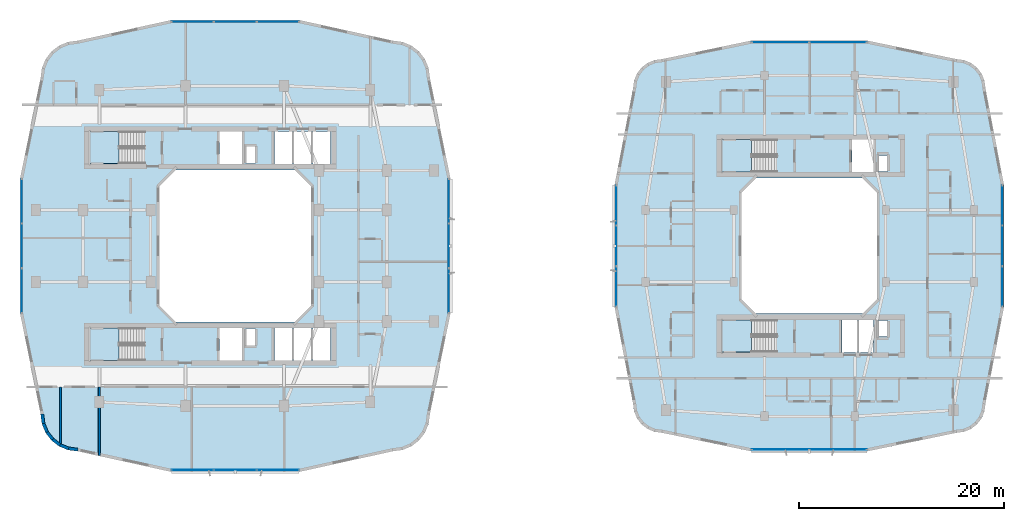
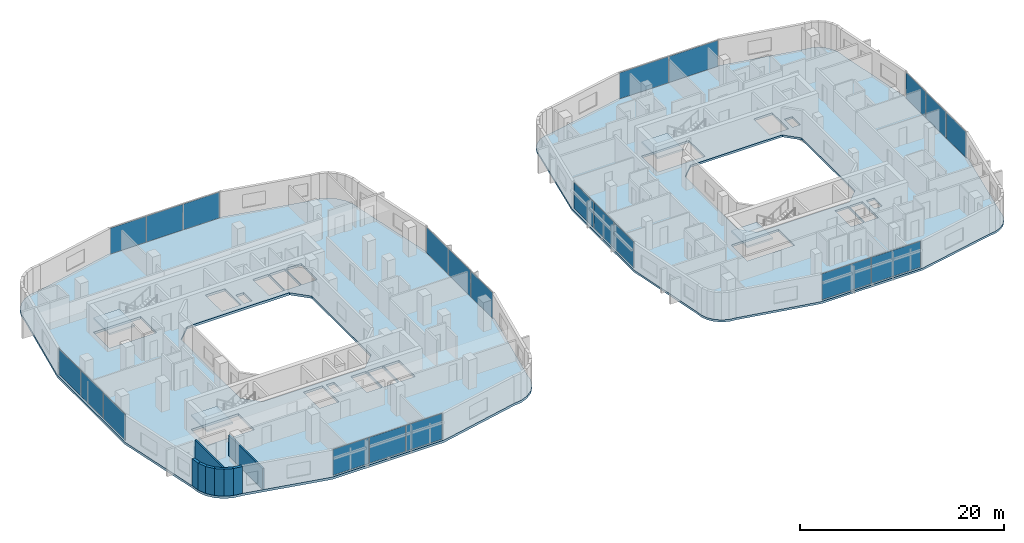
# One storey, part 12 of 26: 22 plates, 8 walls, 6 slabs, 12 elements without a shape of their own.
"""IFC4 building model written with IfcOpenShell, lengths in metres."""

from ifc_helpers import new_model, si_unit, derived_unit, direction, frame, frame_2d, origin, origin_2d, place, context, subcontext, project, spatial, polyline, rectangle, outline, extrude, material, layer, layer_set, type_object, element, aggregate, save


model = new_model("IFC4")

# Units and contexts
model_context = context("Model", 3, precision=1e-05, world=origin(), true_north=direction((0.0, 1.0)))
body_context = subcontext(model_context, "Body", "Model", "MODEL_VIEW")
ifc_project = project(units=[si_unit("LENGTHUNIT", "METRE"), si_unit("AREAUNIT", "SQUARE_METRE"), si_unit("VOLUMEUNIT", "CUBIC_METRE"), si_unit("PLANEANGLEUNIT", "RADIAN"), si_unit("MASSUNIT", "GRAM", prefix="KILO"), derived_unit("THERMALTRANSMITTANCEUNIT", [(si_unit("POWERUNIT", "WATT"), 1), (si_unit("LENGTHUNIT", "METRE"), -2), (si_unit("THERMODYNAMICTEMPERATUREUNIT", "KELVIN"), -1)])], contexts=[model_context])

# Site, building, storey
site_placement = place(None, origin())
site = spatial("IfcSite", under=ifc_project, at=site_placement, CompositionType="ELEMENT")
building_placement = place(site_placement, origin())
building = spatial("IfcBuilding", under=site, at=building_placement, Name="Kivonza Crest Hotel", CompositionType="ELEMENT")
storey_placement = place(building_placement, frame((0.0, 0.0, 66.0)))
storey = spatial("IfcBuildingStorey", under=building, at=storey_placement, Name="L17", CompositionType="ELEMENT", Elevation=66.0)

# Curtain wall, plates
ifc_material_1 = material(Name="Anodised bronze aluminium and low-E double glazing", Category="aluminium")
ifc_layer_1 = layer(ifc_material_1, 0.179931640625)
ifc_layer_set_1 = layer_set([ifc_layer_1], Name="Anodised bronze aluminium and low-E double glazing")
curtain_wall_type_1 = type_object("IfcCurtainWallType", Name="CW-SYS-2", PredefinedType="NOTDEFINED", material=ifc_layer_set_1)
curtain_wall_1_placement = place(storey_placement, origin())
curtain_wall_1 = element("IfcCurtainWall", 1, at=curtain_wall_1_placement, inside=storey, type_object=curtain_wall_type_1, Name="L17 unitised curtain wall CW-T1-L17-08", PredefinedType="NOTDEFINED")
ifc_material_2 = material(Name="Solar-control low-E double glazing", Category="glass")
ifc_layer_2 = layer(ifc_material_2, 0.028076171875)
ifc_layer_set_2 = layer_set([ifc_layer_2], Name="Solar-control low-E double glazing")
plate_type = type_object("IfcPlateType", Name="CW-PNL-28", PredefinedType="CURTAIN_PANEL", material=ifc_layer_set_2)
plate_1_placement = place(storey_placement, frame((16.890869140625, 3.159912109375, 0.06494140625), z_axis=(0.0, 0.0, 1.0), x_axis=(1.0, 0.0, 0.0)))
plate_1 = element("IfcPlate", 2, at=plate_1_placement, type_object=plate_type, Name="CW-2 panel 1.1", PredefinedType="CURTAIN_PANEL", context=body_context, shape_type="SweptSolid", body=[
    extrude(rectangle(XDim=4.06787109375, YDim=0.028076171875, at=origin_2d()), origin(), (0.0, 0.0, 1.0), 3.090087890625),
])
plate_2_placement = place(storey_placement, frame((21.0400390625, 3.159912109375, 0.06494140625), z_axis=(0.0, 0.0, 1.0), x_axis=(1.0, 0.0, 0.0)))
plate_2 = element("IfcPlate", 3, at=plate_2_placement, type_object=plate_type, Name="CW-2 panel 2.1", PredefinedType="CURTAIN_PANEL", context=body_context, shape_type="SweptSolid", body=[
    extrude(rectangle(XDim=4.100341796875, YDim=0.028076171875, at=origin_2d()), origin(), (0.0, 0.0, 1.0), 3.090087890625),
])
plate_3_placement = place(storey_placement, frame((25.18896484375, 3.159912109375, 0.06494140625), z_axis=(0.0, 0.0, 1.0), x_axis=(1.0, 0.0, 0.0)))
plate_3 = element("IfcPlate", 4, at=plate_3_placement, type_object=plate_type, Name="CW-2 panel 3.1", PredefinedType="CURTAIN_PANEL", context=body_context, shape_type="SweptSolid", body=[
    extrude(rectangle(XDim=4.06787109375, YDim=0.028076171875, at=origin_2d()), origin(), (0.0, 0.0, 1.0), 3.090087890625),
])
aggregate(curtain_wall_1, [plate_1, plate_2, plate_3])

curtain_wall_2_placement = place(storey_placement, origin())
curtain_wall_2 = element("IfcCurtainWall", 5, at=curtain_wall_2_placement, inside=storey, type_object=curtain_wall_type_1, Name="L17 unitised curtain wall CW-T1-L17-17", PredefinedType="NOTDEFINED")
plate_4_placement = place(storey_placement, frame((41.840087890625, 20.642822265625, 0.06494140625), z_axis=(0.0, 0.0, 1.0), x_axis=(0.0, 1.0, 0.0)))
plate_4 = element("IfcPlate", 6, at=plate_4_placement, type_object=plate_type, Name="CW-2 panel 1.1", PredefinedType="CURTAIN_PANEL", context=body_context, shape_type="SweptSolid", body=[
    extrude(rectangle(XDim=4.27587890625, YDim=0.028076171875, at=origin_2d()), origin(), (0.0, 0.0, 1.0), 3.090087890625),
])
plate_5_placement = place(storey_placement, frame((41.840087890625, 25.0, 0.06494140625), z_axis=(0.0, 0.0, 1.0), x_axis=(0.0, 1.0, 0.0)))
plate_5 = element("IfcPlate", 7, at=plate_5_placement, type_object=plate_type, Name="CW-2 panel 2.1", PredefinedType="CURTAIN_PANEL", context=body_context, shape_type="SweptSolid", body=[
    extrude(rectangle(XDim=4.308349609375, YDim=0.028076171875, at=origin_2d()), origin(), (0.0, 0.0, 1.0), 3.090087890625),
])
plate_6_placement = place(storey_placement, frame((41.840087890625, 29.357177734375, 0.06494140625), z_axis=(0.0, 0.0, 1.0), x_axis=(0.0, 1.0, 0.0)))
plate_6 = element("IfcPlate", 8, at=plate_6_placement, type_object=plate_type, Name="CW-2 panel 3.1", PredefinedType="CURTAIN_PANEL", context=body_context, shape_type="SweptSolid", body=[
    extrude(rectangle(XDim=4.27587890625, YDim=0.028076171875, at=origin_2d()), origin(), (0.0, 0.0, 1.0), 3.090087890625),
])
aggregate(curtain_wall_2, [plate_4, plate_5, plate_6])

curtain_wall_3_placement = place(storey_placement, origin())
curtain_wall_3 = element("IfcCurtainWall", 9, at=curtain_wall_3_placement, inside=storey, type_object=curtain_wall_type_1, Name="L17 unitised curtain wall CW-T1-L17-26", PredefinedType="NOTDEFINED")
plate_7_placement = place(storey_placement, frame((25.18896484375, 46.840087890625, 0.06494140625), z_axis=(0.0, 0.0, 1.0), x_axis=(-1.0, 0.0, 0.0)))
plate_7 = element("IfcPlate", 10, at=plate_7_placement, type_object=plate_type, Name="CW-2 panel 1.1", PredefinedType="CURTAIN_PANEL", context=body_context, shape_type="SweptSolid", body=[
    extrude(rectangle(XDim=4.06787109375, YDim=0.028076171875, at=origin_2d()), origin(), (0.0, 0.0, 1.0), 3.090087890625),
])
plate_8_placement = place(storey_placement, frame((21.0400390625, 46.840087890625, 0.06494140625), z_axis=(0.0, 0.0, 1.0), x_axis=(-1.0, 0.0, 0.0)))
plate_8 = element("IfcPlate", 11, at=plate_8_placement, type_object=plate_type, Name="CW-2 panel 2.1", PredefinedType="CURTAIN_PANEL", context=body_context, shape_type="SweptSolid", body=[
    extrude(rectangle(XDim=4.100341796875, YDim=0.028076171875, at=origin_2d()), origin(), (0.0, 0.0, 1.0), 3.090087890625),
])
plate_9_placement = place(storey_placement, frame((16.890869140625, 46.840087890625, 0.06494140625), z_axis=(0.0, 0.0, 1.0), x_axis=(-1.0, 0.0, 0.0)))
plate_9 = element("IfcPlate", 12, at=plate_9_placement, type_object=plate_type, Name="CW-2 panel 3.1", PredefinedType="CURTAIN_PANEL", context=body_context, shape_type="SweptSolid", body=[
    extrude(rectangle(XDim=4.06787109375, YDim=0.028076171875, at=origin_2d()), origin(), (0.0, 0.0, 1.0), 3.090087890625),
])
aggregate(curtain_wall_3, [plate_7, plate_8, plate_9])

curtain_wall_4_placement = place(storey_placement, origin())
curtain_wall_4 = element("IfcCurtainWall", 13, at=curtain_wall_4_placement, inside=storey, type_object=curtain_wall_type_1, Name="L17 unitised curtain wall CW-T1-L17-35", PredefinedType="NOTDEFINED")
plate_10_placement = place(storey_placement, frame((0.239990234375, 29.357177734375, 0.06494140625), z_axis=(0.0, 0.0, 1.0), x_axis=(0.0, -1.0, 0.0)))
plate_10 = element("IfcPlate", 14, at=plate_10_placement, type_object=plate_type, Name="CW-2 panel 1.1", PredefinedType="CURTAIN_PANEL", context=body_context, shape_type="SweptSolid", body=[
    extrude(rectangle(XDim=4.27587890625, YDim=0.028076171875, at=origin_2d()), origin(), (0.0, 0.0, 1.0), 3.090087890625),
])
plate_11_placement = place(storey_placement, frame((0.239990234375, 25.0, 0.06494140625), z_axis=(0.0, 0.0, 1.0), x_axis=(0.0, -1.0, 0.0)))
plate_11 = element("IfcPlate", 15, at=plate_11_placement, type_object=plate_type, Name="CW-2 panel 2.1", PredefinedType="CURTAIN_PANEL", context=body_context, shape_type="SweptSolid", body=[
    extrude(rectangle(XDim=4.308349609375, YDim=0.028076171875, at=origin_2d()), origin(), (0.0, 0.0, 1.0), 3.090087890625),
])
plate_12_placement = place(storey_placement, frame((0.239990234375, 20.642822265625, 0.06494140625), z_axis=(0.0, 0.0, 1.0), x_axis=(0.0, -1.0, 0.0)))
plate_12 = element("IfcPlate", 16, at=plate_12_placement, type_object=plate_type, Name="CW-2 panel 3.1", PredefinedType="CURTAIN_PANEL", context=body_context, shape_type="SweptSolid", body=[
    extrude(rectangle(XDim=4.27587890625, YDim=0.028076171875, at=origin_2d()), origin(), (0.0, 0.0, 1.0), 3.090087890625),
])
aggregate(curtain_wall_4, [plate_10, plate_11, plate_12])

ifc_layer_3 = layer(ifc_material_1, 0.179931640625)
ifc_layer_set_3 = layer_set([ifc_layer_3], Name="Anodised bronze aluminium and low-E double glazing")
curtain_wall_type_2 = type_object("IfcCurtainWallType", Name="CW-SYS-4", PredefinedType="NOTDEFINED", material=ifc_layer_set_3)
curtain_wall_5_placement = place(storey_placement, origin())
curtain_wall_5 = element("IfcCurtainWall", 17, at=curtain_wall_5_placement, inside=storey, type_object=curtain_wall_type_2, Name="L17 unitised curtain wall CW-T2-L17-08", PredefinedType="NOTDEFINED")
plate_13_placement = place(storey_placement, frame((74.15234375, 5.159912109375, 0.06494140625), z_axis=(0.0, 0.0, 1.0), x_axis=(1.0, 0.0, 0.0)))
plate_13 = element("IfcPlate", 18, at=plate_13_placement, type_object=plate_type, Name="CW-4 panel 1.1", PredefinedType="CURTAIN_PANEL", context=body_context, shape_type="SweptSolid", body=[
    extrude(rectangle(XDim=5.550537109375, YDim=0.028076171875, at=origin_2d()), origin(), (0.0, 0.0, 1.0), 3.1201171875),
])
plate_14_placement = place(storey_placement, frame((79.767822265625, 5.159912109375, 0.06494140625), z_axis=(0.0, 0.0, 1.0), x_axis=(1.0, 0.0, 0.0)))
plate_14 = element("IfcPlate", 19, at=plate_14_placement, type_object=plate_type, Name="CW-4 panel 2.1", PredefinedType="CURTAIN_PANEL", context=body_context, shape_type="SweptSolid", body=[
    extrude(rectangle(XDim=5.550537109375, YDim=0.028076171875, at=origin_2d()), origin(), (0.0, 0.0, 1.0), 3.1201171875),
])
aggregate(curtain_wall_5, [plate_13, plate_14])

curtain_wall_6_placement = place(storey_placement, origin())
curtain_wall_6 = element("IfcCurtainWall", 20, at=curtain_wall_6_placement, inside=storey, type_object=curtain_wall_type_2, Name="L17 unitised curtain wall CW-T2-L17-17", PredefinedType="NOTDEFINED")
plate_15_placement = place(storey_placement, frame((95.760009765625, 21.04296875, 0.06494140625), z_axis=(0.0, 0.0, 1.0), x_axis=(0.0, 1.0, 0.0)))
plate_15 = element("IfcPlate", 21, at=plate_15_placement, type_object=plate_type, Name="CW-4 panel 1.1", PredefinedType="CURTAIN_PANEL", context=body_context, shape_type="SweptSolid", body=[
    extrude(rectangle(XDim=3.875732421875, YDim=0.028076171875, at=origin_2d()), origin(), (0.0, 0.0, 1.0), 3.1201171875),
])
plate_16_placement = place(storey_placement, frame((95.760009765625, 25.0, 0.06494140625), z_axis=(0.0, 0.0, 1.0), x_axis=(0.0, 1.0, 0.0)))
plate_16 = element("IfcPlate", 22, at=plate_16_placement, type_object=plate_type, Name="CW-4 panel 2.1", PredefinedType="CURTAIN_PANEL", context=body_context, shape_type="SweptSolid", body=[
    extrude(rectangle(XDim=3.908447265625, YDim=0.028076171875, at=origin_2d()), origin(), (0.0, 0.0, 1.0), 3.1201171875),
])
plate_17_placement = place(storey_placement, frame((95.760009765625, 28.95703125, 0.06494140625), z_axis=(0.0, 0.0, 1.0), x_axis=(0.0, 1.0, 0.0)))
plate_17 = element("IfcPlate", 23, at=plate_17_placement, type_object=plate_type, Name="CW-4 panel 3.1", PredefinedType="CURTAIN_PANEL", context=body_context, shape_type="SweptSolid", body=[
    extrude(rectangle(XDim=3.875732421875, YDim=0.028076171875, at=origin_2d()), origin(), (0.0, 0.0, 1.0), 3.1201171875),
])
aggregate(curtain_wall_6, [plate_15, plate_16, plate_17])

curtain_wall_7_placement = place(storey_placement, origin())
curtain_wall_7 = element("IfcCurtainWall", 24, at=curtain_wall_7_placement, inside=storey, type_object=curtain_wall_type_2, Name="L17 unitised curtain wall CW-T2-L17-26", PredefinedType="NOTDEFINED")
plate_18_placement = place(storey_placement, frame((79.767822265625, 44.840087890625, 0.06494140625), z_axis=(0.0, 0.0, 1.0), x_axis=(-1.0, 0.0, 0.0)))
plate_18 = element("IfcPlate", 25, at=plate_18_placement, type_object=plate_type, Name="CW-4 panel 1.1", PredefinedType="CURTAIN_PANEL", context=body_context, shape_type="SweptSolid", body=[
    extrude(rectangle(XDim=5.550537109375, YDim=0.028076171875, at=origin_2d()), origin(), (0.0, 0.0, 1.0), 3.1201171875),
])
plate_19_placement = place(storey_placement, frame((74.15234375, 44.840087890625, 0.06494140625), z_axis=(0.0, 0.0, 1.0), x_axis=(-1.0, 0.0, 0.0)))
plate_19 = element("IfcPlate", 26, at=plate_19_placement, type_object=plate_type, Name="CW-4 panel 2.1", PredefinedType="CURTAIN_PANEL", context=body_context, shape_type="SweptSolid", body=[
    extrude(rectangle(XDim=5.550537109375, YDim=0.028076171875, at=origin_2d()), origin(), (0.0, 0.0, 1.0), 3.1201171875),
])
aggregate(curtain_wall_7, [plate_18, plate_19])

curtain_wall_8_placement = place(storey_placement, origin())
curtain_wall_8 = element("IfcCurtainWall", 27, at=curtain_wall_8_placement, inside=storey, type_object=curtain_wall_type_2, Name="L17 unitised curtain wall CW-T2-L17-35", PredefinedType="NOTDEFINED")
plate_20_placement = place(storey_placement, frame((58.159912109375, 28.95703125, 0.06494140625), z_axis=(0.0, 0.0, 1.0), x_axis=(0.0, -1.0, 0.0)))
plate_20 = element("IfcPlate", 28, at=plate_20_placement, type_object=plate_type, Name="CW-4 panel 1.1", PredefinedType="CURTAIN_PANEL", context=body_context, shape_type="SweptSolid", body=[
    extrude(rectangle(XDim=3.875732421875, YDim=0.028076171875, at=origin_2d()), origin(), (0.0, 0.0, 1.0), 3.1201171875),
])
plate_21_placement = place(storey_placement, frame((58.159912109375, 25.0, 0.06494140625), z_axis=(0.0, 0.0, 1.0), x_axis=(0.0, -1.0, 0.0)))
plate_21 = element("IfcPlate", 29, at=plate_21_placement, type_object=plate_type, Name="CW-4 panel 2.1", PredefinedType="CURTAIN_PANEL", context=body_context, shape_type="SweptSolid", body=[
    extrude(rectangle(XDim=3.908447265625, YDim=0.028076171875, at=origin_2d()), origin(), (0.0, 0.0, 1.0), 3.1201171875),
])
plate_22_placement = place(storey_placement, frame((58.159912109375, 21.04296875, 0.06494140625), z_axis=(0.0, 0.0, 1.0), x_axis=(0.0, -1.0, 0.0)))
plate_22 = element("IfcPlate", 30, at=plate_22_placement, type_object=plate_type, Name="CW-4 panel 3.1", PredefinedType="CURTAIN_PANEL", context=body_context, shape_type="SweptSolid", body=[
    extrude(rectangle(XDim=3.875732421875, YDim=0.028076171875, at=origin_2d()), origin(), (0.0, 0.0, 1.0), 3.1201171875),
])
aggregate(curtain_wall_8, [plate_20, plate_21, plate_22])

# Slab
ifc_material_3 = material(Name="Concrete C40/50", Category="concrete")
ifc_layer_4 = layer(ifc_material_3, 0.280029296875)
ifc_layer_set_4 = layer_set([ifc_layer_4], Name="Concrete C40/50")
slab_type_1 = type_object("IfcSlabType", Name="SL-HTL-280", PredefinedType="FLOOR", material=ifc_layer_set_4)
slab_1_placement = place(storey_placement, frame((0.0, 0.0, -0.280029296875)))
element("IfcSlab", 31, at=slab_1_placement, inside=storey, type_object=slab_type_1, Name="Tower T1 L17 floor slab", PredefinedType="FLOOR", context=body_context, shape_type="SweptSolid", body=[
    extrude(outline(polyline([(2.080078125, 8.60009765625), (2.202880859375, 7.66796875), (2.56201171875, 6.800048828125), (3.134033203125, 6.053955078125), (3.8798828125, 5.48193359375), (4.748046875, 5.123046875), (5.679931640625, 5.0), (14.751953125, 3.0), (27.327880859375, 3.0), (36.39990234375, 5.0), (37.33203125, 5.123046875), (38.199951171875, 5.48193359375), (38.946044921875, 6.053955078125), (39.51806640625, 6.800048828125), (39.876953125, 7.66796875), (40.0, 8.60009765625), (42.0, 18.39990234375), (42.0, 31.60009765625), (40.0, 41.39990234375), (39.876953125, 42.33203125), (39.51806640625, 43.199951171875), (38.946044921875, 43.946044921875), (38.199951171875, 44.51806640625), (37.33203125, 44.876953125), (36.39990234375, 45.0), (27.327880859375, 47.0), (14.751953125, 47.0), (5.679931640625, 45.0), (4.748046875, 44.876953125), (3.8798828125, 44.51806640625), (3.134033203125, 43.946044921875), (2.56201171875, 43.199951171875), (2.202880859375, 42.33203125), (2.080078125, 41.39990234375), (0.080078125, 31.60009765625), (0.080078125, 18.39990234375), (2.080078125, 8.60009765625)]), holes=[polyline([(15.239990234375, 17.60009765625), (26.840087890625, 17.60009765625), (28.43994140625, 19.199951171875), (28.43994140625, 30.800048828125), (26.840087890625, 32.39990234375), (15.239990234375, 32.39990234375), (13.639892578125, 30.800048828125), (13.639892578125, 19.199951171875), (15.239990234375, 17.60009765625)]), polyline([(6.800048828125, 33.02001953125), (12.159912109375, 33.02001953125), (12.159912109375, 36.159912109375), (6.800048828125, 36.159912109375), (6.800048828125, 33.02001953125)]), polyline([(6.800048828125, 13.860107421875), (12.159912109375, 13.860107421875), (12.159912109375, 17.0), (6.800048828125, 17.0), (6.800048828125, 13.860107421875)]), polyline([(22.080078125, 33.0400390625), (22.969970703125, 33.0400390625), (22.969970703125, 34.679931640625), (22.080078125, 34.679931640625), (22.080078125, 33.0400390625)]), polyline([(22.080078125, 15.320068359375), (22.969970703125, 15.320068359375), (22.969970703125, 16.9599609375), (22.080078125, 16.9599609375), (22.080078125, 15.320068359375)]), polyline([(19.5, 33.0), (21.699951171875, 33.0), (21.699951171875, 36.159912109375), (19.5, 36.159912109375), (19.5, 33.0)]), polyline([(24.860107421875, 33.0), (26.60693359375, 33.0), (26.60693359375, 36.159912109375), (24.860107421875, 36.159912109375), (24.860107421875, 33.0)]), polyline([(26.72705078125, 33.0), (28.472900390625, 33.0), (28.472900390625, 36.159912109375), (26.72705078125, 36.159912109375), (26.72705078125, 33.0)]), polyline([(28.593017578125, 33.0), (30.340087890625, 33.0), (30.340087890625, 36.159912109375), (28.593017578125, 36.159912109375), (28.593017578125, 33.0)]), polyline([(19.5, 13.840087890625), (21.699951171875, 13.840087890625), (21.699951171875, 17.0), (19.5, 17.0), (19.5, 13.840087890625)]), polyline([(24.860107421875, 13.840087890625), (26.60693359375, 13.840087890625), (26.60693359375, 17.0), (24.860107421875, 17.0), (24.860107421875, 13.840087890625)]), polyline([(26.72705078125, 13.840087890625), (28.472900390625, 13.840087890625), (28.472900390625, 17.0), (26.72705078125, 17.0), (26.72705078125, 13.840087890625)]), polyline([(28.593017578125, 13.840087890625), (30.340087890625, 13.840087890625), (30.340087890625, 17.0), (28.593017578125, 17.0), (28.593017578125, 13.840087890625)])]), origin(), (0.0, 0.0, 1.0), 0.280029296875),
])

# Stair, slab
stair_type = type_object("IfcStairType", Name="ST-DL-20R", PredefinedType="HALF_TURN_STAIR", material=ifc_material_3)
stair_1_placement = place(storey_placement, origin())
stair_1 = element("IfcStair", 32, at=stair_1_placement, inside=storey, type_object=stair_type, Name="L17 Protected Exit Stair ST-T1-N", PredefinedType="HALF_TURN_STAIR")
ifc_layer_5 = layer(ifc_material_3, 0.199951171875)
ifc_layer_set_5 = layer_set([ifc_layer_5], Name="Concrete C40/50")
slab_type_2 = type_object("IfcSlabType", Name="SL-LAND-200", PredefinedType="LANDING", material=ifc_layer_set_5)
slab_2_placement = place(storey_placement, frame((0.0, 0.0, 1.550048828125)))
slab_2 = element("IfcSlab", 33, at=slab_2_placement, type_object=slab_type_2, Name="ST-T1-N landing 1", PredefinedType="LANDING", context=body_context, shape_type="SweptSolid", body=[
    extrude(outline(polyline([(9.719970703125, 36.159912109375), (6.800048828125, 36.159912109375), (6.800048828125, 33.02001953125), (9.719970703125, 33.02001953125), (9.719970703125, 36.159912109375)])), origin(), (0.0, 0.0, 1.0), 0.199951171875),
])
aggregate(stair_1, [slab_2])

stair_2_placement = place(storey_placement, origin())
stair_2 = element("IfcStair", 34, at=stair_2_placement, inside=storey, type_object=stair_type, Name="L17 Protected Exit Stair ST-T1-S", PredefinedType="HALF_TURN_STAIR")
slab_3_placement = place(storey_placement, frame((0.0, 0.0, 1.550048828125)))
slab_3 = element("IfcSlab", 35, at=slab_3_placement, type_object=slab_type_2, Name="ST-T1-S landing 1", PredefinedType="LANDING", context=body_context, shape_type="SweptSolid", body=[
    extrude(outline(polyline([(9.719970703125, 17.0), (6.800048828125, 17.0), (6.800048828125, 13.860107421875), (9.719970703125, 13.860107421875), (9.719970703125, 17.0)])), origin(), (0.0, 0.0, 1.0), 0.199951171875),
])
aggregate(stair_2, [slab_3])

stair_3_placement = place(storey_placement, origin())
stair_3 = element("IfcStair", 36, at=stair_3_placement, inside=storey, type_object=stair_type, Name="L17 Protected Exit Stair ST-T2-N", PredefinedType="HALF_TURN_STAIR")
slab_4_placement = place(storey_placement, frame((0.0, 0.0, 1.550048828125)))
slab_4 = element("IfcSlab", 37, at=slab_4_placement, type_object=slab_type_2, Name="ST-T2-N landing 1", PredefinedType="LANDING", context=body_context, shape_type="SweptSolid", body=[
    extrude(outline(polyline([(71.320068359375, 35.360107421875), (68.39990234375, 35.360107421875), (68.39990234375, 32.219970703125), (71.320068359375, 32.219970703125), (71.320068359375, 35.360107421875)])), origin(), (0.0, 0.0, 1.0), 0.199951171875),
])
aggregate(stair_3, [slab_4])

stair_4_placement = place(storey_placement, origin())
stair_4 = element("IfcStair", 38, at=stair_4_placement, inside=storey, type_object=stair_type, Name="L17 Protected Exit Stair ST-T2-S", PredefinedType="HALF_TURN_STAIR")
slab_5_placement = place(storey_placement, frame((0.0, 0.0, 1.550048828125)))
slab_5 = element("IfcSlab", 39, at=slab_5_placement, type_object=slab_type_2, Name="ST-T2-S landing 1", PredefinedType="LANDING", context=body_context, shape_type="SweptSolid", body=[
    extrude(outline(polyline([(71.320068359375, 17.800048828125), (68.39990234375, 17.800048828125), (68.39990234375, 14.659912109375), (71.320068359375, 14.659912109375), (71.320068359375, 17.800048828125)])), origin(), (0.0, 0.0, 1.0), 0.199951171875),
])
aggregate(stair_4, [slab_5])

# Slab
ifc_layer_6 = layer(ifc_material_3, 0.25)
ifc_layer_set_6 = layer_set([ifc_layer_6], Name="Concrete C40/50")
slab_type_3 = type_object("IfcSlabType", Name="SL-RES-250", PredefinedType="FLOOR", material=ifc_layer_set_6)
slab_6_placement = place(storey_placement, frame((0.0, 0.0, -0.25)))
element("IfcSlab", 40, at=slab_6_placement, inside=storey, type_object=slab_type_3, Name="Companion Tower T2 L17 floor slab", PredefinedType="FLOOR", context=body_context, shape_type="SweptSolid", body=[
    extrude(outline(polyline([(59.800048828125, 9.60009765625), (59.89501953125, 8.875), (60.175048828125, 8.199951171875), (60.6201171875, 7.6201171875), (61.199951171875, 7.175048828125), (61.875, 6.89501953125), (62.60009765625, 6.800048828125), (71.27197265625, 5.0), (82.64794921875, 5.0), (91.320068359375, 6.800048828125), (92.044921875, 6.89501953125), (92.719970703125, 7.175048828125), (93.300048828125, 7.6201171875), (93.7451171875, 8.199951171875), (94.02490234375, 8.875), (94.1201171875, 9.60009765625), (95.919921875, 19.0), (95.919921875, 31.0), (94.1201171875, 40.39990234375), (94.02490234375, 41.125), (93.7451171875, 41.800048828125), (93.300048828125, 42.3798828125), (92.719970703125, 42.824951171875), (92.044921875, 43.10498046875), (91.320068359375, 43.199951171875), (82.64794921875, 45.0), (71.27197265625, 45.0), (62.60009765625, 43.199951171875), (61.875, 43.10498046875), (61.199951171875, 42.824951171875), (60.6201171875, 42.3798828125), (60.175048828125, 41.800048828125), (59.89501953125, 41.125), (59.800048828125, 40.39990234375), (58.0, 31.0), (58.0, 19.0), (59.800048828125, 9.60009765625)]), holes=[polyline([(71.760009765625, 18.39990234375), (82.159912109375, 18.39990234375), (83.56005859375, 19.800048828125), (83.56005859375, 30.199951171875), (82.159912109375, 31.60009765625), (71.760009765625, 31.60009765625), (70.360107421875, 30.199951171875), (70.360107421875, 19.800048828125), (71.760009765625, 18.39990234375)]), polyline([(68.39990234375, 32.219970703125), (73.760009765625, 32.219970703125), (73.760009765625, 35.360107421875), (68.39990234375, 35.360107421875), (68.39990234375, 32.219970703125)]), polyline([(68.39990234375, 14.659912109375), (73.760009765625, 14.659912109375), (73.760009765625, 17.800048828125), (68.39990234375, 17.800048828125), (68.39990234375, 14.659912109375)]), polyline([(83.679931640625, 32.239990234375), (84.570068359375, 32.239990234375), (84.570068359375, 33.820068359375), (83.679931640625, 33.820068359375), (83.679931640625, 32.239990234375)]), polyline([(83.679931640625, 16.179931640625), (84.570068359375, 16.179931640625), (84.570068359375, 17.760009765625), (83.679931640625, 17.760009765625), (83.679931640625, 16.179931640625)]), polyline([(81.10009765625, 32.199951171875), (83.199951171875, 32.199951171875), (83.199951171875, 35.360107421875), (81.10009765625, 35.360107421875), (81.10009765625, 32.199951171875)]), polyline([(80.159912109375, 14.639892578125), (81.639892578125, 14.639892578125), (81.639892578125, 17.800048828125), (80.159912109375, 17.800048828125), (80.159912109375, 14.639892578125)]), polyline([(81.760009765625, 14.639892578125), (83.239990234375, 14.639892578125), (83.239990234375, 17.800048828125), (81.760009765625, 17.800048828125), (81.760009765625, 14.639892578125)])]), origin(), (0.0, 0.0, 1.0), 0.25),
])

# Walls
ifc_material_4 = material(Name="High-density acoustic masonry inter-tenancy wall", Category="masonry")
ifc_layer_7 = layer(ifc_material_4, 0.179931640625)
ifc_layer_set_7 = layer_set([ifc_layer_7], Name="High-density acoustic masonry inter-tenancy wall")
wall_type_1 = type_object("IfcWallType", Name="WL-ACOU-180", PredefinedType="SOLIDWALL", material=ifc_layer_set_7)
wall_1_placement = place(storey_placement, frame((4.02001953125, 5.489013671875, 0.0), z_axis=(0.0, 0.0, 1.0), x_axis=(0.0, 1.0, 0.0)))
element("IfcWall", 41, at=wall_1_placement, inside=storey, type_object=wall_type_1, Name="L17 interior partition WA-L17-T1S-SPDIV0", PredefinedType="SOLIDWALL", context=body_context, shape_type="SweptSolid", body=[
    extrude(rectangle(XDim=5.760986328125, YDim=0.179931640625, at=frame_2d((2.88037109375, 0.0))), origin(), (0.0, 0.0, 1.0), 3.219970703125),
])
wall_2_placement = place(storey_placement, frame((7.800048828125, 4.593994140625, 0.0), z_axis=(0.0, 0.0, 1.0), x_axis=(0.0, 1.0, 0.0)))
element("IfcWall", 42, at=wall_2_placement, inside=storey, type_object=wall_type_1, Name="L17 interior partition WA-L17-T1S-DIV1", PredefinedType="SOLIDWALL", context=body_context, shape_type="SweptSolid", body=[
    extrude(rectangle(XDim=6.656005859375, YDim=0.179931640625, at=frame_2d((3.328125, 0.0))), origin(), (0.0, 0.0, 1.0), 2.4951171875),
])
ifc_material_5 = material(Name="Precast concrete C40/50", Category="concrete")
ifc_layer_8 = layer(ifc_material_5, 0.300048828125)
ifc_layer_set_8 = layer_set([ifc_layer_8], Name="Precast concrete C40/50")
wall_type_2 = type_object("IfcWallType", Name="WL-EXT-300", PredefinedType="STANDARD", material=ifc_layer_set_8)
wall_3_placement = place(storey_placement, frame((2.22802734375, 8.6279296875, 0.0), z_axis=(0.0, 0.0, 1.0), x_axis=(0.131174864804, -0.991359246108, 0.0)))
element("IfcWall", 43, at=wall_3_placement, inside=storey, type_object=wall_type_2, Name="L17 T1 exterior insulated wall 1", PredefinedType="STANDARD", context=body_context, shape_type="SweptSolid", body=[
    extrude(rectangle(XDim=0.93798828125, YDim=0.300048828125, at=frame_2d((0.468994140625, 0.0))), origin(), (0.0, 0.0, 1.0), 3.219970703125),
])
wall_4_placement = place(storey_placement, frame((2.33203125, 7.748046875, 0.0), z_axis=(0.0, 0.0, 1.0), x_axis=(0.382344263057, -0.924019948111, 0.0)))
element("IfcWall", 44, at=wall_4_placement, inside=storey, type_object=wall_type_2, Name="L17 T1 exterior insulated wall 2", PredefinedType="STANDARD", context=body_context, shape_type="SweptSolid", body=[
    extrude(rectangle(XDim=0.95458984375, YDim=0.300048828125, at=frame_2d((0.477294921875, 0.0))), origin(), (0.0, 0.0, 1.0), 3.219970703125),
])
for number, where, z_axis, x_axis, name in (
    (45, (2.666015625, 6.910888671875, 0.0), (0.0, 0.0, 1.0), (0.608474481025, -0.793573440799, 0.0), "L17 T1 exterior insulated wall 3"),
    (46, (3.205078125, 6.18798828125, 0.0), (0.0, 0.0, 1.0), (0.793573440799, -0.608474481025, 0.0), "L17 T1 exterior insulated wall 4"),
):
    element("IfcWall", number, at=place(storey_placement, frame(where, z_axis=z_axis, x_axis=x_axis)), inside=storey, type_object=wall_type_2, Name=name, PredefinedType="STANDARD", context=body_context, shape_type="SweptSolid", body=[
        extrude(rectangle(XDim=0.954833984375, YDim=0.300048828125, at=frame_2d((0.4775390625, 0.0))), origin(), (0.0, 0.0, 1.0), 3.219970703125),
    ])
wall_5_placement = place(storey_placement, frame((3.9140625, 5.631103515625, 0.0), z_axis=(0.0, 0.0, 1.0), x_axis=(0.923982547689, -0.382434636986, 0.0)))
element("IfcWall", 47, at=wall_5_placement, inside=storey, type_object=wall_type_2, Name="L17 T1 exterior insulated wall 5", PredefinedType="STANDARD", context=body_context, shape_type="SweptSolid", body=[
    extrude(rectangle(XDim=0.954345703125, YDim=0.300048828125, at=frame_2d((0.47705078125, 0.0))), origin(), (0.0, 0.0, 1.0), 3.219970703125),
])
wall_6_placement = place(storey_placement, frame((4.742919921875, 5.27490234375, 0.0), z_axis=(0.0, 0.0, 1.0), x_axis=(0.99145856342, -0.130422072598, 0.0)))
element("IfcWall", 48, at=wall_6_placement, inside=storey, type_object=wall_type_2, Name="L17 T1 exterior insulated wall 6", PredefinedType="STANDARD", context=body_context, shape_type="SweptSolid", body=[
    extrude(rectangle(XDim=0.973388671875, YDim=0.300048828125, at=frame_2d((0.48681640625, 0.0))), origin(), (0.0, 0.0, 1.0), 3.219970703125),
])

save(model, "model.ifc")
